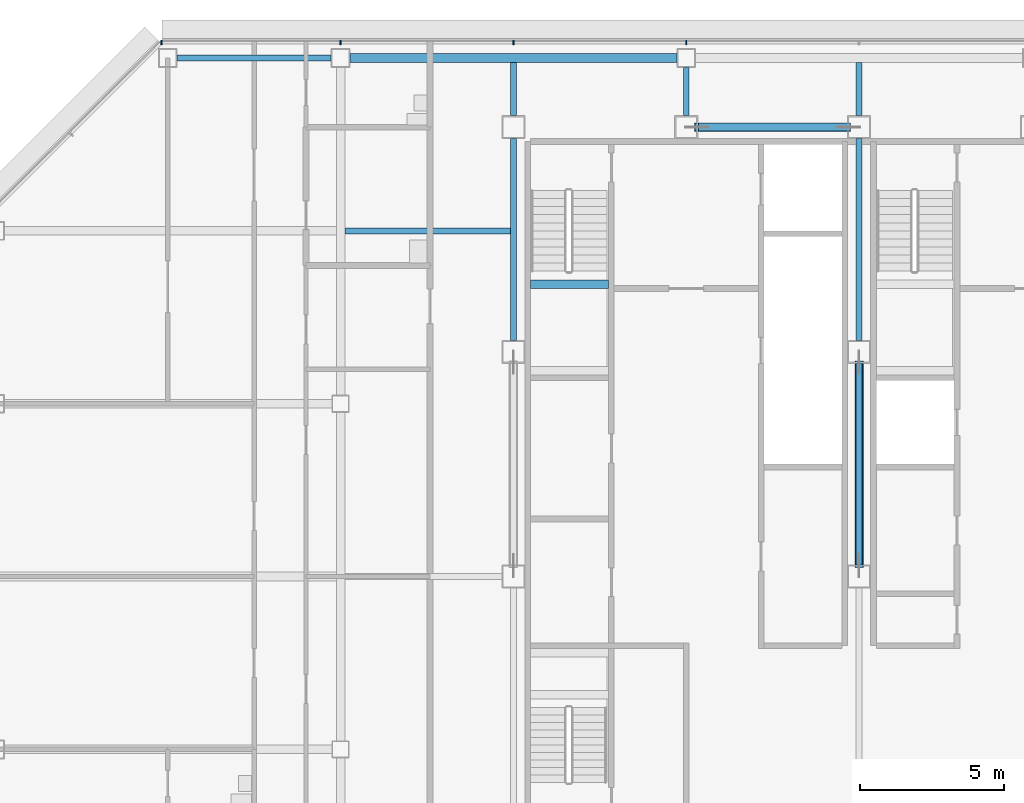
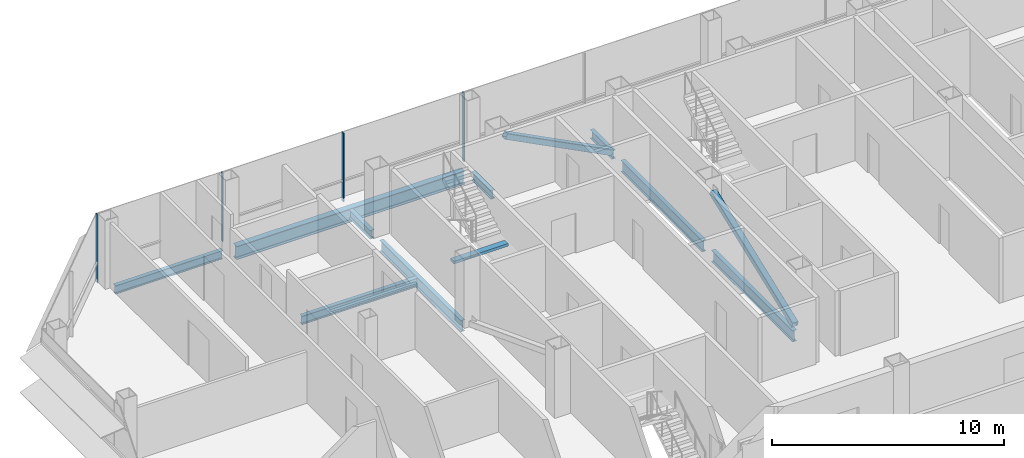
# One storey, part 12 of 27: 10 beams, 6 members, 1 element without a shape of its own.
"""IFC4 building model written with IfcOpenShell, lengths in metres."""

from ifc_helpers import new_model, si_unit, direction, frame, origin, origin_2d, place, context, subcontext, project, spatial, rectangle, hollow_rectangle, i_section, extrude, material, material_profile, profile_set, type_object, element, aggregate, save


model = new_model("IFC4")

# Units and contexts
model_context = context("Model", 3, precision=1e-05, world=origin(), true_north=direction((0.0, 1.0)))
body_context = subcontext(model_context, "Body", "Model", "MODEL_VIEW")
ifc_project = project(units=[si_unit("LENGTHUNIT", "METRE"), si_unit("AREAUNIT", "SQUARE_METRE"), si_unit("VOLUMEUNIT", "CUBIC_METRE"), si_unit("PLANEANGLEUNIT", "RADIAN"), si_unit("MASSUNIT", "GRAM", prefix="KILO")], contexts=[model_context])

# Site, building, storey
site_placement = place(None, origin())
site = spatial("IfcSite", under=ifc_project, at=site_placement, CompositionType="ELEMENT")
building_placement = place(site_placement, origin())
building = spatial("IfcBuilding", under=site, at=building_placement, Name="Sorahane Residences", CompositionType="ELEMENT")
storey_placement = place(building_placement, frame((0.0, 0.0, 226.199951171875)))
storey = spatial("IfcBuildingStorey", under=building, at=storey_placement, Name="L53", CompositionType="ELEMENT", Elevation=226.199951171875)

# Members
ifc_material_1 = material(Name="Steel Q355B", Category="steel")
ifc_material_profile_1 = material_profile(ifc_material_1, hollow_rectangle(XDim=0.300048828125, YDim=0.300048828125, WallThickness=0.01611328125, InnerFilletRadius=0.008056640625, OuterFilletRadius=0.02392578125, at=origin_2d()), Name="RHS 300x300x16")
ifc_profile_set_1 = profile_set([ifc_material_profile_1], Name="Steel Q355B")
member_type_1 = type_object("IfcMemberType", Name="Core brace RHS 300x300x16 Q355B", PredefinedType="BRACE", material=ifc_profile_set_1)
member_1_placement = place(storey_placement, frame((17.64111328125, 45.60009765625, 0.12890625), z_axis=(-0.889590046837, 0.0, 0.45675983686), x_axis=(0.0, -1.0, 0.0)))
element("IfcMember", 1, at=member_1_placement, inside=storey, type_object=member_type_1, Name="Core brace L53 y45.6-2", PredefinedType="BRACE", context=body_context, shape_type="SweptSolid", body=[
    extrude(hollow_rectangle(XDim=0.300048828125, YDim=0.300048828125, WallThickness=0.01611328125, InnerFilletRadius=0.008056640625, OuterFilletRadius=0.02392578125, at=origin_2d()), origin(), (0.0, 0.0, 1.0), 5.937744140625),
])
member_2_placement = place(storey_placement, frame((18.0, 30.367919921875, 0.1376953125), z_axis=(0.0, 0.934335722983, 0.356394103147), x_axis=(-1.0, 0.0, 0.0)))
element("IfcMember", 2, at=member_2_placement, inside=storey, type_object=member_type_1, Name="Core brace L53 x18-1", PredefinedType="BRACE", context=body_context, shape_type="SweptSolid", body=[
    extrude(hollow_rectangle(XDim=0.300048828125, YDim=0.300048828125, WallThickness=0.01611328125, InnerFilletRadius=0.008056640625, OuterFilletRadius=0.02392578125, at=origin_2d()), origin(), (0.0, 0.0, 1.0), 7.560791015625),
])

# Curtain wall, members
ifc_material_2 = material(Name="Dark low-e glass and black anodised aluminium", Category="aluminium")
curtain_wall_type = type_object("IfcCurtainWallType", Name="Curtain wall CW-1 Typical unitised wall", PredefinedType="NOTDEFINED", material=ifc_material_2)
curtain_wall_placement = place(storey_placement, origin())
curtain_wall = element("IfcCurtainWall", 3, at=curtain_wall_placement, inside=storey, type_object=curtain_wall_type, Name="CW-1 curtain wall L53 N1", PredefinedType="NOTDEFINED")
ifc_material_3 = material(Name="Black anodised aluminium", Category="aluminium")
ifc_material_profile_2 = material_profile(ifc_material_3, rectangle(XDim=0.159912109375, YDim=0.050048828125, at=origin_2d()), Name="Curtain wall mullion CW-1 black anodised aluminium 50x160")
ifc_profile_set_2 = profile_set([ifc_material_profile_2], Name="Black anodised aluminium")
member_type_2 = type_object("IfcMemberType", Name="Curtain wall mullion CW-1 black anodised aluminium 50x160", PredefinedType="MULLION", material=ifc_profile_set_2)
member_3_placement = place(storey_placement, frame((12.0, 48.5400390625, -0.179931640625), z_axis=(0.0, 0.0, 1.0), x_axis=(0.0, 1.0, 0.0)))
member_3 = element("IfcMember", 4, at=member_3_placement, type_object=member_type_2, Name="CW-1 mullion L53 N1.7", PredefinedType="MULLION", context=body_context, shape_type="SweptSolid", body=[
    extrude(rectangle(XDim=0.159912109375, YDim=0.050048828125, at=origin_2d()), origin(), (0.0, 0.0, 1.0), 3.60009765625),
])
member_4_placement = place(storey_placement, frame((6.0, 48.5400390625, -0.179931640625), z_axis=(0.0, 0.0, 1.0), x_axis=(0.0, 1.0, 0.0)))
member_4 = element("IfcMember", 5, at=member_4_placement, type_object=member_type_2, Name="CW-1 mullion L53 N1.8", PredefinedType="MULLION", context=body_context, shape_type="SweptSolid", body=[
    extrude(rectangle(XDim=0.159912109375, YDim=0.050048828125, at=origin_2d()), origin(), (0.0, 0.0, 1.0), 3.60009765625),
])
member_5_placement = place(storey_placement, frame((0.0, 48.5400390625, -0.179931640625), z_axis=(0.0, 0.0, 1.0), x_axis=(0.0, 1.0, 0.0)))
member_5 = element("IfcMember", 6, at=member_5_placement, type_object=member_type_2, Name="CW-1 mullion L53 N1.9", PredefinedType="MULLION", context=body_context, shape_type="SweptSolid", body=[
    extrude(rectangle(XDim=0.159912109375, YDim=0.050048828125, at=origin_2d()), origin(), (0.0, 0.0, 1.0), 3.60009765625),
])
member_6_placement = place(storey_placement, frame((-6.2236328125, 48.5400390625, -0.179931640625), z_axis=(0.0, 0.0, 1.0), x_axis=(0.0, 1.0, 0.0)))
member_6 = element("IfcMember", 7, at=member_6_placement, type_object=member_type_2, Name="CW-1 mullion L53 N1.10", PredefinedType="MULLION", context=body_context, shape_type="SweptSolid", body=[
    extrude(rectangle(XDim=0.159912109375, YDim=0.050048828125, at=origin_2d()), origin(), (0.0, 0.0, 1.0), 3.60009765625),
])
aggregate(curtain_wall, [member_3, member_4, member_5, member_6])

# Beams
ifc_material_4 = material(Name="Concrete C40", Category="concrete")
ifc_material_profile_3 = material_profile(ifc_material_4, rectangle(XDim=0.300048828125, YDim=0.139892578125, at=origin_2d()), Name="300x140")
ifc_profile_set_3 = profile_set([ifc_material_profile_3], Name="Concrete C40")
beam_type_1 = type_object("IfcBeamType", Name="RC landing beam 300 x 140 Concrete C40", PredefinedType="BEAM", material=ifc_profile_set_3)
beam_1_placement = place(storey_placement, frame((6.60009765625, 40.14990234375, 1.530029296875), z_axis=(1.0, 0.0, 0.0), x_axis=(0.0, 1.0, 0.0)))
element("IfcBeam", 8, at=beam_1_placement, inside=storey, type_object=beam_type_1, Name="Landing beam", PredefinedType="BEAM", context=body_context, shape_type="SweptSolid", body=[
    extrude(rectangle(XDim=0.300048828125, YDim=0.139892578125, at=origin_2d()), origin(), (0.0, 0.0, 1.0), 2.699951171875),
])
ifc_material_5 = material(Name="Steel Q355B", Category="steel")
ifc_material_profile_4 = material_profile(ifc_material_5, i_section(OverallWidth=0.199951171875, OverallDepth=0.449951171875, WebThickness=0.009033203125, FlangeThickness=0.013916015625, FilletRadius=0.02001953125, at=origin_2d()), Name="HN 450x200x9x14")
ifc_profile_set_4 = profile_set([ifc_material_profile_4], Name="Steel Q355B")
beam_type_2 = type_object("IfcBeamType", Name="Steel floor beam HN 450x200x9x14 Q355B", PredefinedType="BEAM", material=ifc_profile_set_4)
beam_2_placement = place(storey_placement, frame((-5.675048828125, 48.0, -0.405029296875), z_axis=(1.0, 0.0, 0.0), x_axis=(0.0, 1.0, 0.0)))
element("IfcBeam", 9, at=beam_2_placement, inside=storey, type_object=beam_type_2, Name="Beam L53 015", PredefinedType="BEAM", context=body_context, shape_type="SweptSolid", body=[
    extrude(i_section(OverallWidth=0.199951171875, OverallDepth=0.449951171875, WebThickness=0.009033203125, FlangeThickness=0.013916015625, FilletRadius=0.02001953125, at=origin_2d()), origin(), (0.0, 0.0, 1.0), 5.35009765625),
])
beam_3_placement = place(storey_placement, frame((6.0, 46.0, -0.405029296875), z_axis=(0.0, 1.0, 0.0), x_axis=(-1.0, 0.0, 0.0)))
element("IfcBeam", 10, at=beam_3_placement, inside=storey, type_object=beam_type_2, Name="Beam L53 033", PredefinedType="BEAM", context=body_context, shape_type="SweptSolid", body=[
    extrude(i_section(OverallWidth=0.199951171875, OverallDepth=0.449951171875, WebThickness=0.009033203125, FlangeThickness=0.013916015625, FilletRadius=0.02001953125, at=origin_2d()), origin(), (0.0, 0.0, 1.0), 1.85009765625),
])
beam_4_placement = place(storey_placement, frame((12.0, 46.0, -0.405029296875), z_axis=(0.0, 1.0, 0.0), x_axis=(-1.0, 0.0, 0.0)))
element("IfcBeam", 11, at=beam_4_placement, inside=storey, type_object=beam_type_2, Name="Beam L53 035", PredefinedType="BEAM", context=body_context, shape_type="SweptSolid", body=[
    extrude(i_section(OverallWidth=0.199951171875, OverallDepth=0.449951171875, WebThickness=0.009033203125, FlangeThickness=0.013916015625, FilletRadius=0.02001953125, at=origin_2d()), origin(), (0.0, 0.0, 1.0), 1.675048828125),
])
beam_5_placement = place(storey_placement, frame((18.0, 46.0, -0.405029296875), z_axis=(0.0, 1.0, 0.0), x_axis=(-1.0, 0.0, 0.0)))
element("IfcBeam", 12, at=beam_5_placement, inside=storey, type_object=beam_type_2, Name="Beam L53 041", PredefinedType="BEAM", context=body_context, shape_type="SweptSolid", body=[
    extrude(i_section(OverallWidth=0.199951171875, OverallDepth=0.449951171875, WebThickness=0.009033203125, FlangeThickness=0.013916015625, FilletRadius=0.02001953125, at=origin_2d()), origin(), (0.0, 0.0, 1.0), 1.85009765625),
])
beam_6_placement = place(storey_placement, frame((0.14990234375, 42.0, -0.405029296875), z_axis=(1.0, 0.0, 0.0), x_axis=(0.0, 1.0, 0.0)))
element("IfcBeam", 13, at=beam_6_placement, inside=storey, type_object=beam_type_2, Name="Beam L53 090", PredefinedType="BEAM", context=body_context, shape_type="SweptSolid", body=[
    extrude(i_section(OverallWidth=0.199951171875, OverallDepth=0.449951171875, WebThickness=0.009033203125, FlangeThickness=0.013916015625, FilletRadius=0.02001953125, at=origin_2d()), origin(), (0.0, 0.0, 1.0), 5.75),
])
ifc_material_6 = material(Name="Steel Q355B", Category="steel")
ifc_material_profile_5 = material_profile(ifc_material_6, i_section(OverallWidth=0.199951171875, OverallDepth=0.60009765625, WebThickness=0.010986328125, FlangeThickness=0.01708984375, FilletRadius=0.02392578125, at=origin_2d()), Name="HN 600x200x11x17")
ifc_profile_set_5 = profile_set([ifc_material_profile_5], Name="Steel Q355B")
beam_type_3 = type_object("IfcBeamType", Name="Steel floor beam HN 600x200x11x17 Q355B", PredefinedType="BEAM", material=ifc_profile_set_5)
for number, where, z_axis, x_axis, name in (
    (14, (6.0, 38.199951171875, -0.47998046875), (0.0, 1.0, 0.0), (-1.0, 0.0, 0.0), "Beam L53 032"),
    (15, (18.0, 30.39990234375, -0.47998046875), (0.0, 1.0, 0.0), (-1.0, 0.0, 0.0), "Beam L53 039"),
    (16, (18.0, 38.199951171875, -0.47998046875), (0.0, 1.0, 0.0), (-1.0, 0.0, 0.0), "Beam L53 040"),
):
    element("IfcBeam", number, at=place(storey_placement, frame(where, z_axis=z_axis, x_axis=x_axis)), inside=storey, type_object=beam_type_3, Name=name, PredefinedType="BEAM", context=body_context, shape_type="SweptSolid", body=[
        extrude(i_section(OverallWidth=0.199951171875, OverallDepth=0.60009765625, WebThickness=0.010986328125, FlangeThickness=0.01708984375, FilletRadius=0.02392578125, at=origin_2d()), origin(), (0.0, 0.0, 1.0), 7.0),
    ])
ifc_material_7 = material(Name="Steel Q355B", Category="steel")
ifc_material_profile_6 = material_profile(ifc_material_7, i_section(OverallWidth=0.300048828125, OverallDepth=0.699951171875, WebThickness=0.012939453125, FlangeThickness=0.02392578125, FilletRadius=0.028076171875, at=origin_2d()), Name="HN 700x300x13x24")
ifc_profile_set_6 = profile_set([ifc_material_profile_6], Name="Steel Q355B")
beam_type_4 = type_object("IfcBeamType", Name="Steel floor beam HN 700x300x13x24 Q355B", PredefinedType="BEAM", material=ifc_profile_set_6)
beam_7_placement = place(storey_placement, frame((0.324951171875, 48.0, -0.530029296875), z_axis=(1.0, 0.0, 0.0), x_axis=(0.0, 1.0, 0.0)))
element("IfcBeam", 17, at=beam_7_placement, inside=storey, type_object=beam_type_4, Name="Beam L53 016", PredefinedType="BEAM", context=body_context, shape_type="SweptSolid", body=[
    extrude(i_section(OverallWidth=0.300048828125, OverallDepth=0.699951171875, WebThickness=0.012939453125, FlangeThickness=0.02392578125, FilletRadius=0.028076171875, at=origin_2d()), origin(), (0.0, 0.0, 1.0), 11.35009765625),
])

save(model, "model.ifc")
